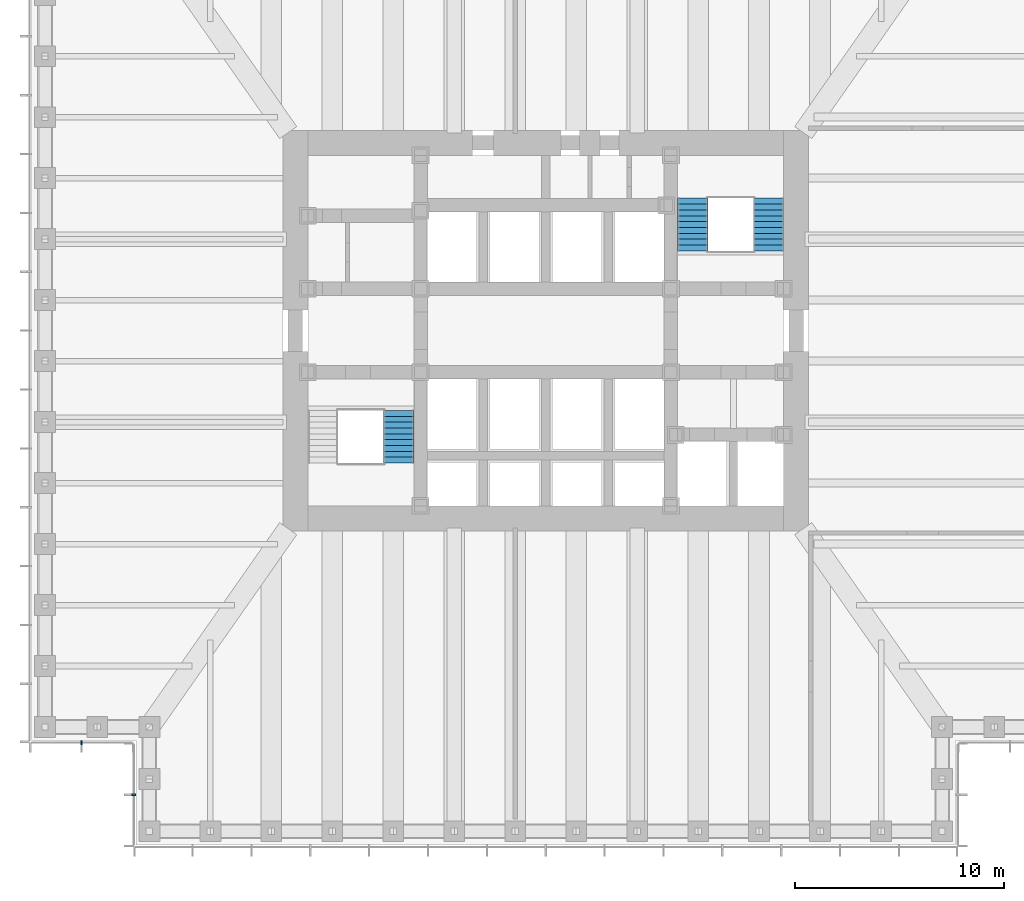
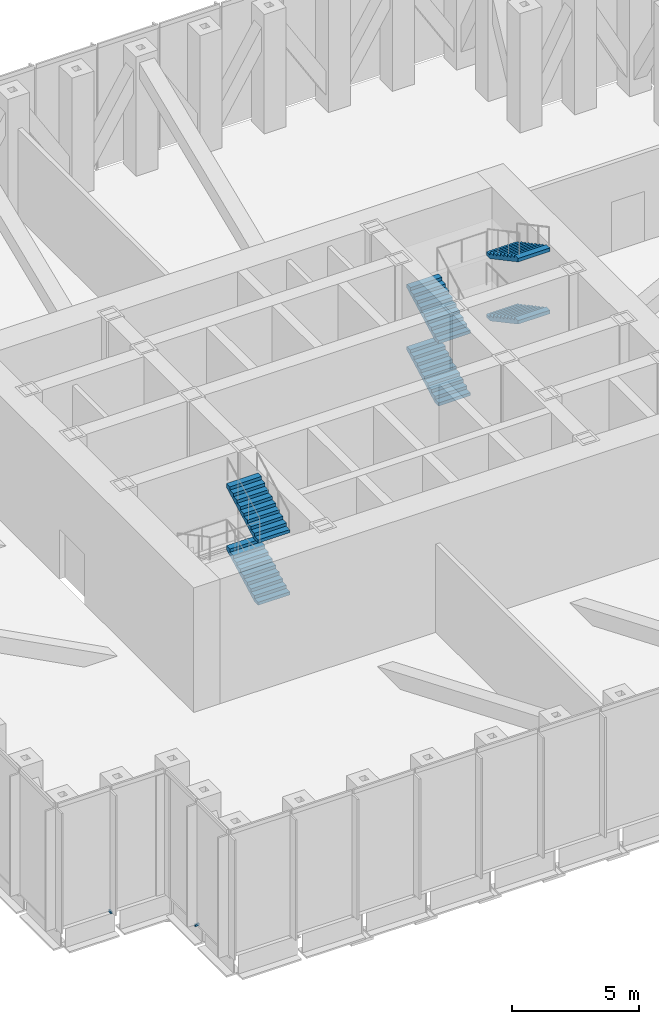
# One storey, part 10 of 15: 6 stair flights, 2 discrete accessories, 2 elements without a shape of their own.
"""IFC4 building model written with IfcOpenShell, lengths in metres."""

from ifc_helpers import new_model, si_unit, direction, frame, origin, origin_2d, place, context, subcontext, project, spatial, polyline, rectangle, outline, extrude, material, type_object, element, aggregate, save


model = new_model("IFC4")

# Units and contexts
model_context = context("Model", 3, precision=1e-05, world=origin(), true_north=direction((0.0, 1.0)))
body_context = subcontext(model_context, "Body", "Model", "MODEL_VIEW")
ifc_project = project(units=[si_unit("LENGTHUNIT", "METRE"), si_unit("AREAUNIT", "SQUARE_METRE"), si_unit("VOLUMEUNIT", "CUBIC_METRE"), si_unit("PLANEANGLEUNIT", "RADIAN"), si_unit("MASSUNIT", "GRAM", prefix="KILO")], contexts=[model_context])

# Site, building, storey
site_placement = place(None, origin())
site = spatial("IfcSite", under=ifc_project, at=site_placement, CompositionType="ELEMENT")
building_placement = place(site_placement, origin())
building = spatial("IfcBuilding", under=site, at=building_placement, Name="Daluyong Arena Tower", CompositionType="ELEMENT")
storey_placement = place(building_placement, frame((0.0, 0.0, 102.10009765625)))
storey = spatial("IfcBuildingStorey", under=building, at=storey_placement, Name="L22", CompositionType="ELEMENT", Elevation=102.10009765625)

# Stair, stair flights
ifc_material_1 = material(Name="Concrete fc' 35 MPa", Category="concrete")
stair_type = type_object("IfcStairType", Name="Core exit stair", PredefinedType="HALF_TURN_STAIR", material=ifc_material_1)
stair_1_placement = place(storey_placement, origin())
stair_1 = element("IfcStair", 1, at=stair_1_placement, inside=storey, type_object=stair_type, Name="exit stair A L22", PredefinedType="HALF_TURN_STAIR")
ifc_material_2 = material(Name="Concrete fc' 35 MPa", Category="concrete")
stair_flight_type = type_object("IfcStairFlightType", Name="Core stair flight", PredefinedType="STRAIGHT", material=ifc_material_2)
stair_flight_1_placement = place(storey_placement, frame((48.949951171875, 73.655029296875, 1.5), z_axis=(0.0, 0.0, 1.0), x_axis=(0.0, 1.0, 0.0)))
stair_flight_1 = element("IfcStairFlight", 2, at=stair_flight_1_placement, type_object=stair_flight_type, Name="STA flight 2", NumberOfRisers=10, NumberOfTreads=9, PredefinedType="STRAIGHT", RiserHeight=0.15, TreadLength=0.28, context=body_context, shape_type="SweptSolid", body=[
    extrude(outline(polyline([(0.0, 0.0), (0.0, 0.14990234375), (0.280029296875, 0.14990234375), (0.280029296875, 0.300048828125), (0.56005859375, 0.300048828125), (0.56005859375, 0.449951171875), (0.840087890625, 0.449951171875), (0.840087890625, 0.60009765625), (1.1201171875, 0.60009765625), (1.1201171875, 0.75), (1.39990234375, 0.75), (1.39990234375, 0.89990234375), (1.679931640625, 0.89990234375), (1.679931640625, 1.050048828125), (1.9599609375, 1.050048828125), (1.9599609375, 1.199951171875), (2.239990234375, 1.199951171875), (2.239990234375, 1.35009765625), (2.52001953125, 1.35009765625), (2.52001953125, 1.5), (2.52001953125, 1.179931640625), (0.3173828125, 0.0), (0.0, 0.0)])), frame((0.0, 0.72509765625, 0.0), z_axis=(0.0, -1.0, 0.0), x_axis=(1.0, 0.0, 0.0)), (0.0, 0.0, 1.0), 1.449951171875),
])
stair_flight_2_placement = place(storey_placement, frame((48.949951171875, 73.655029296875, 4.5), z_axis=(0.0, 0.0, 1.0), x_axis=(0.0, 1.0, 0.0)))
stair_flight_2 = element("IfcStairFlight", 3, at=stair_flight_2_placement, type_object=stair_flight_type, Name="STA flight 4", NumberOfRisers=10, NumberOfTreads=9, PredefinedType="STRAIGHT", RiserHeight=0.15, TreadLength=0.28, context=body_context, shape_type="SweptSolid", body=[
    extrude(outline(polyline([(0.0, 0.0), (0.0, 0.14990234375), (0.280029296875, 0.14990234375), (0.280029296875, 0.300048828125), (0.56005859375, 0.300048828125), (0.56005859375, 0.449951171875), (0.840087890625, 0.449951171875), (0.840087890625, 0.60009765625), (1.1201171875, 0.60009765625), (1.1201171875, 0.75), (1.39990234375, 0.75), (1.39990234375, 0.89990234375), (1.679931640625, 0.89990234375), (1.679931640625, 1.050048828125), (1.9599609375, 1.050048828125), (1.9599609375, 1.199951171875), (2.239990234375, 1.199951171875), (2.239990234375, 1.35009765625), (2.52001953125, 1.35009765625), (2.52001953125, 1.5), (2.52001953125, 1.179931640625), (0.3173828125, 0.0), (0.0, 0.0)])), frame((0.0, 0.72509765625, 0.0), z_axis=(0.0, -1.0, 0.0), x_axis=(1.0, 0.0, 0.0)), (0.0, 0.0, 1.0), 1.449951171875),
])
aggregate(stair_1, [stair_flight_1, stair_flight_2])

stair_2_placement = place(storey_placement, origin())
stair_2 = element("IfcStair", 4, at=stair_2_placement, inside=storey, type_object=stair_type, Name="exit stair B L22", PredefinedType="HALF_TURN_STAIR")
stair_flight_3_placement = place(storey_placement, frame((63.050048828125, 83.824951171875, 0.0), z_axis=(0.0, 0.0, 1.0), x_axis=(0.0, 1.0, 0.0)))
stair_flight_3 = element("IfcStairFlight", 5, at=stair_flight_3_placement, type_object=stair_flight_type, Name="STB flight 1", NumberOfRisers=10, NumberOfTreads=9, PredefinedType="STRAIGHT", RiserHeight=0.15, TreadLength=0.28, context=body_context, shape_type="SweptSolid", body=[
    extrude(outline(polyline([(0.0, 0.0), (0.0, 0.14990234375), (0.280029296875, 0.14990234375), (0.280029296875, 0.300048828125), (0.56005859375, 0.300048828125), (0.56005859375, 0.449951171875), (0.840087890625, 0.449951171875), (0.840087890625, 0.60009765625), (1.1201171875, 0.60009765625), (1.1201171875, 0.75), (1.39990234375, 0.75), (1.39990234375, 0.89990234375), (1.679931640625, 0.89990234375), (1.679931640625, 1.050048828125), (1.9599609375, 1.050048828125), (1.9599609375, 1.199951171875), (2.239990234375, 1.199951171875), (2.239990234375, 1.35009765625), (2.52001953125, 1.35009765625), (2.52001953125, 1.5), (2.52001953125, 1.179931640625), (0.3173828125, 0.0), (0.0, 0.0)])), frame((0.0, 0.72509765625, 0.0), z_axis=(0.0, -1.0, 0.0), x_axis=(1.0, 0.0, 0.0)), (0.0, 0.0, 1.0), 1.449951171875),
])
stair_flight_4_placement = place(storey_placement, frame((66.675048828125, 86.344970703125, 1.5), z_axis=(0.0, 0.0, 1.0), x_axis=(0.0, -1.0, 0.0)))
stair_flight_4 = element("IfcStairFlight", 6, at=stair_flight_4_placement, type_object=stair_flight_type, Name="STB flight 2", NumberOfRisers=10, NumberOfTreads=9, PredefinedType="STRAIGHT", RiserHeight=0.15, TreadLength=0.28, context=body_context, shape_type="SweptSolid", body=[
    extrude(outline(polyline([(0.0, 0.0), (0.0, 0.14990234375), (0.280029296875, 0.14990234375), (0.280029296875, 0.300048828125), (0.56005859375, 0.300048828125), (0.56005859375, 0.449951171875), (0.840087890625, 0.449951171875), (0.840087890625, 0.60009765625), (1.1201171875, 0.60009765625), (1.1201171875, 0.75), (1.39990234375, 0.75), (1.39990234375, 0.89990234375), (1.679931640625, 0.89990234375), (1.679931640625, 1.050048828125), (1.9599609375, 1.050048828125), (1.9599609375, 1.199951171875), (2.239990234375, 1.199951171875), (2.239990234375, 1.35009765625), (2.52001953125, 1.35009765625), (2.52001953125, 1.5), (2.52001953125, 1.179931640625), (0.3173828125, 0.0), (0.0, 0.0)])), frame((0.0, 0.72509765625, 0.0), z_axis=(0.0, -1.0, 0.0), x_axis=(1.0, 0.0, 0.0)), (0.0, 0.0, 1.0), 1.449951171875),
])
stair_flight_5_placement = place(storey_placement, frame((63.050048828125, 83.824951171875, 3.0), z_axis=(0.0, 0.0, 1.0), x_axis=(0.0, 1.0, 0.0)))
stair_flight_5 = element("IfcStairFlight", 7, at=stair_flight_5_placement, type_object=stair_flight_type, Name="STB flight 3", NumberOfRisers=10, NumberOfTreads=9, PredefinedType="STRAIGHT", RiserHeight=0.15, TreadLength=0.28, context=body_context, shape_type="SweptSolid", body=[
    extrude(outline(polyline([(0.0, 0.0), (0.0, 0.14990234375), (0.280029296875, 0.14990234375), (0.280029296875, 0.300048828125), (0.56005859375, 0.300048828125), (0.56005859375, 0.449951171875), (0.840087890625, 0.449951171875), (0.840087890625, 0.60009765625), (1.1201171875, 0.60009765625), (1.1201171875, 0.75), (1.39990234375, 0.75), (1.39990234375, 0.89990234375), (1.679931640625, 0.89990234375), (1.679931640625, 1.050048828125), (1.9599609375, 1.050048828125), (1.9599609375, 1.199951171875), (2.239990234375, 1.199951171875), (2.239990234375, 1.35009765625), (2.52001953125, 1.35009765625), (2.52001953125, 1.5), (2.52001953125, 1.179931640625), (0.3173828125, 0.0), (0.0, 0.0)])), frame((0.0, 0.72509765625, 0.0), z_axis=(0.0, -1.0, 0.0), x_axis=(1.0, 0.0, 0.0)), (0.0, 0.0, 1.0), 1.449951171875),
])
stair_flight_6_placement = place(storey_placement, frame((66.675048828125, 86.344970703125, 4.5), z_axis=(0.0, 0.0, 1.0), x_axis=(0.0, -1.0, 0.0)))
stair_flight_6 = element("IfcStairFlight", 8, at=stair_flight_6_placement, type_object=stair_flight_type, Name="STB flight 4", NumberOfRisers=10, NumberOfTreads=9, PredefinedType="STRAIGHT", RiserHeight=0.15, TreadLength=0.28, context=body_context, shape_type="SweptSolid", body=[
    extrude(outline(polyline([(0.0, 0.0), (0.0, 0.14990234375), (0.280029296875, 0.14990234375), (0.280029296875, 0.300048828125), (0.56005859375, 0.300048828125), (0.56005859375, 0.449951171875), (0.840087890625, 0.449951171875), (0.840087890625, 0.60009765625), (1.1201171875, 0.60009765625), (1.1201171875, 0.75), (1.39990234375, 0.75), (1.39990234375, 0.89990234375), (1.679931640625, 0.89990234375), (1.679931640625, 1.050048828125), (1.9599609375, 1.050048828125), (1.9599609375, 1.199951171875), (2.239990234375, 1.199951171875), (2.239990234375, 1.35009765625), (2.52001953125, 1.35009765625), (2.52001953125, 1.5), (2.52001953125, 1.179931640625), (0.3173828125, 0.0), (0.0, 0.0)])), frame((0.0, 0.72509765625, 0.0), z_axis=(0.0, -1.0, 0.0), x_axis=(1.0, 0.0, 0.0)), (0.0, 0.0, 1.0), 1.449951171875),
])
aggregate(stair_2, [stair_flight_3, stair_flight_4, stair_flight_5, stair_flight_6])

# Discrete accessories
for number, where, z_axis, x_axis, name in (
    (9, (33.75, 60.25, -0.10009765625), (0.0, 0.0, 1.0), (1.0, 0.0, 0.0), "curtain wall L22 SW-S anchor bracket 2"),
    (10, (36.25, 57.75, -0.10009765625), (0.0, 0.0, 1.0), (0.0, -1.0, 0.0), "curtain wall L22 SW-W anchor bracket 2"),
):
    element("IfcDiscreteAccessory", number, at=place(storey_placement, frame(where, z_axis=z_axis, x_axis=x_axis)), inside=storey, Name=name, PredefinedType="BRACKET", context=body_context, shape_type="SweptSolid", body=[
        extrude(rectangle(XDim=0.080078125, YDim=0.199951171875, at=origin_2d()), origin(), (0.0, 0.0, 1.0), 0.10009765625),
    ])

save(model, "model.ifc")
